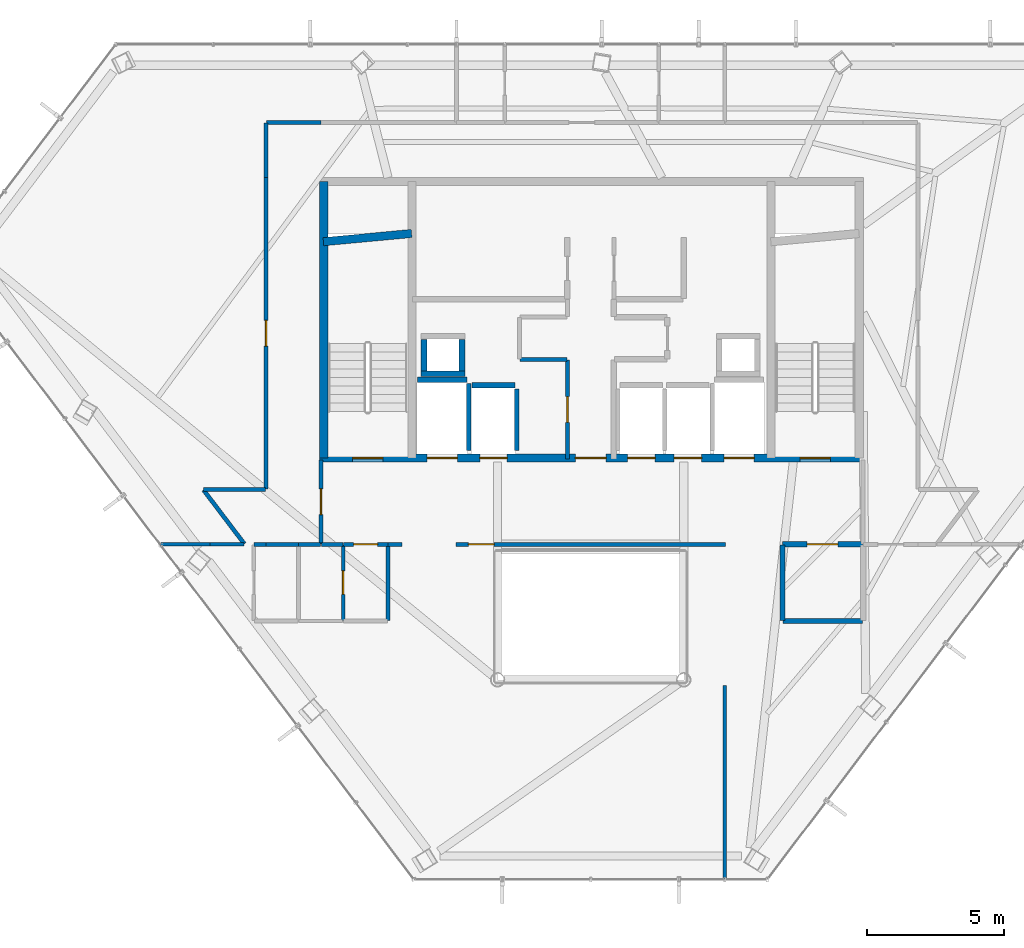
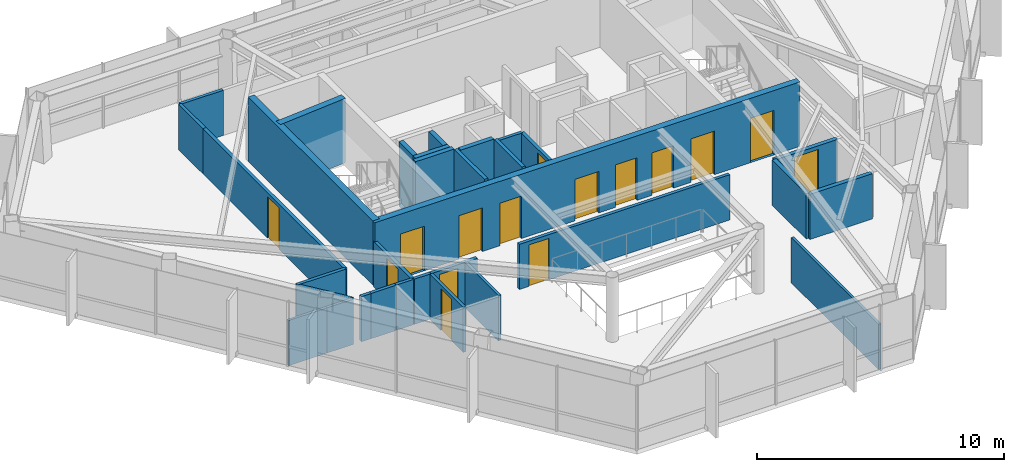
# One storey, part 24 of 27: 33 walls, 15 doors, 15 openings.
"""IFC4 building model written with IfcOpenShell, lengths in metres."""

from ifc_helpers import new_model, si_unit, direction, frame, frame_2d, origin, place, context, subcontext, project, spatial, rectangle, extrude, material, layer, layer_set, type_object, element, fill, save


model = new_model("IFC4")

# Units and contexts
model_context = context("Model", 3, precision=1e-05, world=origin(), true_north=direction((0.0, 1.0)))
body_context = subcontext(model_context, "Body", "Model", "MODEL_VIEW")
ifc_project = project(units=[si_unit("LENGTHUNIT", "METRE"), si_unit("AREAUNIT", "SQUARE_METRE"), si_unit("VOLUMEUNIT", "CUBIC_METRE"), si_unit("PLANEANGLEUNIT", "RADIAN"), si_unit("MASSUNIT", "GRAM", prefix="KILO")], contexts=[model_context])

# Site, building, storey
site_placement = place(None, origin())
site = spatial("IfcSite", under=ifc_project, at=site_placement, CompositionType="ELEMENT")
building_placement = place(site_placement, origin())
building = spatial("IfcBuilding", under=site, at=building_placement, Name="Zarrinselat Tower", CompositionType="ELEMENT")
storey_placement = place(building_placement, frame((0.0, 0.0, 215.56005859375)))
storey = spatial("IfcBuildingStorey", under=building, at=storey_placement, Name="L53", CompositionType="ELEMENT", Elevation=215.56005859375)

# Wall, opening, door
ifc_material_1 = material(Name="Concrete C40/50", Category="concrete")
ifc_layer_1 = layer(ifc_material_1, 0.18994140625)
ifc_layer_set_1 = layer_set([ifc_layer_1], Name="Concrete C40/50")
wall_type_1 = type_object("IfcWallType", Name="WAL-PART-EI120", PredefinedType="PARTITIONING", material=ifc_layer_set_1)
wall_1_placement = place(storey_placement, frame((45.405029296875, 30.14990234375, 0.0), z_axis=(0.0, 0.0, 1.0), x_axis=(1.0, 0.0, 0.0)))
wall_1 = element("IfcWall", 1, at=wall_1_placement, inside=storey, type_object=wall_type_1, Name="L53 Partition Wall 16", PredefinedType="PARTITIONING", context=body_context, shape_type="SweptSolid", body=[
    extrude(rectangle(XDim=2.925048828125, YDim=0.18994140625, at=frame_2d((1.46240234375, 0.0))), origin(), (0.0, 0.0, 1.0), 2.23486328125),
])
opening_1_placement = place(wall_1_placement, frame((0.902587890625, 0.0, 0.0)))
opening_1 = element("IfcOpeningElement", 2, at=opening_1_placement, cuts=wall_1, Name="Opening ID-02", PredefinedType="OPENING", context=body_context, shape_type="SweptSolid", body=[
    extrude(rectangle(XDim=1.1201171875, YDim=2.050048828125, at=frame_2d((0.56005859375, 1.02490234375))), frame((0.0, 0.10498046875, 0.0), z_axis=(0.0, -1.0, 0.0), x_axis=(1.0, 0.0, 0.0)), (0.0, 0.0, 1.0), 0.2099609375),
])
ifc_material_2 = material(Name="Steel S355J2", Category="steel")
door_type_1 = type_object("IfcDoorType", Name="DR-INT-FD60-W", OperationType="NOTDEFINED", PredefinedType="DOOR", material=ifc_material_2)
door_1_placement = place(opening_1_placement, origin())
door_1 = element("IfcDoor", 3, at=door_1_placement, inside=storey, type_object=door_type_1, Name="L53 Interior Door P16", OperationType="SINGLE_SWING_RIGHT", OverallHeight=2.050048828125, OverallWidth=1.1201171875, PredefinedType="DOOR", context=body_context, shape_type="SweptSolid", body=[
    extrude(rectangle(XDim=1.1201171875, YDim=2.050048828125, at=frame_2d((0.56005859375, 1.02490234375))), frame((0.0, 0.02490234375, 0.0), z_axis=(0.0, -1.0, 0.0), x_axis=(1.0, 0.0, 0.0)), (0.0, 0.0, 1.0), 0.050048828125),
])
fill(opening_1, door_1)

# Walls
wall_2_placement = place(storey_placement, frame((45.419921875, 27.35009765625, 0.0), z_axis=(0.0, 0.0, 1.0), x_axis=(1.0, 0.0, 0.0)))
element("IfcWall", 4, at=wall_2_placement, inside=storey, type_object=wall_type_1, Name="L53 Partition Wall 23", PredefinedType="PARTITIONING", context=body_context, shape_type="SweptSolid", body=[
    extrude(rectangle(XDim=2.91015625, YDim=0.18994140625, at=frame_2d((1.455078125, 0.0))), origin(), (0.0, 0.0, 1.0), 2.23486328125),
])
wall_3_placement = place(storey_placement, frame((45.39990234375, 27.3701171875, 0.0), z_axis=(0.0, 0.0, 1.0), x_axis=(0.0, 1.0, 0.0)))
element("IfcWall", 5, at=wall_3_placement, inside=storey, type_object=wall_type_1, Name="L53 Partition Wall 24", PredefinedType="PARTITIONING", context=body_context, shape_type="SweptSolid", body=[
    extrude(rectangle(XDim=2.759765625, YDim=0.18994140625, at=frame_2d((1.3798828125, 0.0))), origin(), (0.0, 0.0, 1.0), 2.23486328125),
])

# Wall, opening, door
ifc_material_3 = material(Name="Fire-Rated Gypsum Board Partition", Category="gypsum")
ifc_layer_2 = layer(ifc_material_3, 0.14990234375)
ifc_layer_set_2 = layer_set([ifc_layer_2], Name="Fire-Rated Gypsum Board Partition")
wall_type_2 = type_object("IfcWallType", Name="WAL-PART-EI60", PredefinedType="PARTITIONING", material=ifc_layer_set_2)
wall_4_placement = place(storey_placement, frame((37.550048828125, 33.264892578125, 0.0), z_axis=(0.0, 0.0, 1.0), x_axis=(0.0, 1.0, 0.0)))
wall_4 = element("IfcWall", 6, at=wall_4_placement, inside=storey, type_object=wall_type_2, Name="L53 Partition Wall 1", PredefinedType="PARTITIONING", context=body_context, shape_type="SweptSolid", body=[
    extrude(rectangle(XDim=3.614990234375, YDim=0.14990234375, at=frame_2d((1.8076171875, 0.0))), origin(), (0.0, 0.0, 1.0), 2.23486328125),
])
opening_2_placement = place(wall_4_placement, frame((1.33740234375, 0.0, 0.0)))
opening_2 = element("IfcOpeningElement", 7, at=opening_2_placement, cuts=wall_4, Name="Opening ID-04", PredefinedType="OPENING", context=body_context, shape_type="SweptSolid", body=[
    extrude(rectangle(XDim=0.93994140625, YDim=2.050048828125, at=frame_2d((0.469970703125, 1.02490234375))), frame((0.0, 0.0849609375, 0.0), z_axis=(0.0, -1.0, 0.0), x_axis=(1.0, 0.0, 0.0)), (0.0, 0.0, 1.0), 0.169921875),
])
ifc_material_4 = material(Name="Fire-Rated Gypsum Board Partition")
door_type_2 = type_object("IfcDoorType", Name="DR-INT-FD30-ENT", OperationType="NOTDEFINED", PredefinedType="DOOR", material=ifc_material_4)
door_2_placement = place(opening_2_placement, origin())
door_2 = element("IfcDoor", 8, at=door_2_placement, inside=storey, type_object=door_type_2, Name="L53 Interior Door P1", OperationType="SINGLE_SWING_RIGHT", OverallHeight=2.050048828125, OverallWidth=0.93994140625, PredefinedType="DOOR", context=body_context, shape_type="SweptSolid", body=[
    extrude(rectangle(XDim=0.93994140625, YDim=2.050048828125, at=frame_2d((0.469970703125, 1.02490234375))), frame((0.0, 0.02490234375, 0.0), z_axis=(0.0, -1.0, 0.0), x_axis=(1.0, 0.0, 0.0)), (0.0, 0.0, 1.0), 0.050048828125),
])
fill(opening_2, door_2)

# Wall
wall_5_placement = place(storey_placement, frame((35.820068359375, 36.89990234375, 0.0), z_axis=(0.0, 0.0, 1.0), x_axis=(1.0, 0.0, 0.0)))
element("IfcWall", 9, at=wall_5_placement, inside=storey, type_object=wall_type_2, Name="L53 Partition Wall 2", PredefinedType="PARTITIONING", context=body_context, shape_type="SweptSolid", body=[
    extrude(rectangle(XDim=1.7099609375, YDim=0.14990234375, at=frame_2d((0.85498046875, 0.0))), origin(), (0.0, 0.0, 1.0), 2.23486328125),
])

# Wall, opening, door
wall_6_placement = place(storey_placement, frame((28.550048828125, 30.169921875, 0.0), z_axis=(0.0, 0.0, 1.0), x_axis=(0.0, 1.0, 0.0)))
wall_6 = element("IfcWall", 10, at=wall_6_placement, inside=storey, type_object=wall_type_2, Name="L53 Partition Wall 17", PredefinedType="PARTITIONING", context=body_context, shape_type="SweptSolid", body=[
    extrude(rectangle(XDim=3.06005859375, YDim=0.14990234375, at=frame_2d((1.530029296875, 0.0))), origin(), (0.0, 0.0, 1.0), 2.23486328125),
])
opening_3_placement = place(wall_6_placement, frame((1.06005859375, 0.0, 0.0)))
opening_3 = element("IfcOpeningElement", 11, at=opening_3_placement, cuts=wall_6, Name="Opening ID-04", PredefinedType="OPENING", context=body_context, shape_type="SweptSolid", body=[
    extrude(rectangle(XDim=0.93994140625, YDim=2.050048828125, at=frame_2d((0.469970703125, 1.02490234375))), frame((0.0, 0.0849609375, 0.0), z_axis=(0.0, -1.0, 0.0), x_axis=(1.0, 0.0, 0.0)), (0.0, 0.0, 1.0), 0.169921875),
])
door_3_placement = place(opening_3_placement, origin())
door_3 = element("IfcDoor", 12, at=door_3_placement, inside=storey, type_object=door_type_2, Name="L53 Interior Door P17", OperationType="SINGLE_SWING_LEFT", OverallHeight=2.050048828125, OverallWidth=0.93994140625, PredefinedType="DOOR", context=body_context, shape_type="SweptSolid", body=[
    extrude(rectangle(XDim=0.93994140625, YDim=2.050048828125, at=frame_2d((0.469970703125, 1.02490234375))), frame((0.0, 0.02490234375, 0.0), z_axis=(0.0, -1.0, 0.0), x_axis=(1.0, 0.0, 0.0)), (0.0, 0.0, 1.0), 0.050048828125),
])
fill(opening_3, door_3)

wall_7_placement = place(storey_placement, frame((29.364990234375, 30.14990234375, 0.0), z_axis=(0.0, 0.0, 1.0), x_axis=(1.0, 0.0, 0.0)))
wall_7 = element("IfcWall", 13, at=wall_7_placement, inside=storey, type_object=wall_type_2, Name="L53 Partition Wall 19", PredefinedType="PARTITIONING", context=body_context, shape_type="SweptSolid", body=[
    extrude(rectangle(XDim=1.630126953125, YDim=0.14990234375, at=frame_2d((0.81494140625, 0.0))), origin(), (0.0, 0.0, 1.0), 2.23486328125),
])
opening_4_placement = place(wall_7_placement, frame((0.375, 0.0, 0.0)))
opening_4 = element("IfcOpeningElement", 14, at=opening_4_placement, cuts=wall_7, Name="Opening ID-03", PredefinedType="OPENING", context=body_context, shape_type="SweptSolid", body=[
    extrude(rectangle(XDim=0.8798828125, YDim=2.050048828125, at=frame_2d((0.43994140625, 1.02490234375))), frame((0.0, 0.0849609375, 0.0), z_axis=(0.0, -1.0, 0.0), x_axis=(1.0, 0.0, 0.0)), (0.0, 0.0, 1.0), 0.169921875),
])
ifc_material_5 = material(Name="Steel S355J2", Category="steel")
door_type_3 = type_object("IfcDoorType", Name="DR-INT-FD60-S", OperationType="NOTDEFINED", PredefinedType="DOOR", material=ifc_material_5)
door_4_placement = place(opening_4_placement, origin())
door_4 = element("IfcDoor", 15, at=door_4_placement, inside=storey, type_object=door_type_3, Name="L53 Interior Door P19", OperationType="SINGLE_SWING_RIGHT", OverallHeight=2.050048828125, OverallWidth=0.8798828125, PredefinedType="DOOR", context=body_context, shape_type="SweptSolid", body=[
    extrude(rectangle(XDim=0.8798828125, YDim=2.050048828125, at=frame_2d((0.43994140625, 1.02490234375))), frame((0.0, 0.02490234375, 0.0), z_axis=(0.0, -1.0, 0.0), x_axis=(1.0, 0.0, 0.0)), (0.0, 0.0, 1.0), 0.050048828125),
])
fill(opening_4, door_4)

# Wall
wall_8_placement = place(storey_placement, frame((28.570068359375, 30.14990234375, 0.0), z_axis=(0.0, 0.0, 1.0), x_axis=(1.0, 0.0, 0.0)))
element("IfcWall", 16, at=wall_8_placement, inside=storey, type_object=wall_type_2, Name="L53 Partition Wall 20", PredefinedType="PARTITIONING", context=body_context, shape_type="SweptSolid", body=[
    extrude(rectangle(XDim=0.784912109375, YDim=0.14990234375, at=frame_2d((0.392578125, 0.0))), origin(), (0.0, 0.0, 1.0), 2.23486328125),
])

# Wall, opening, door
wall_9_placement = place(storey_placement, frame((33.485107421875, 30.14990234375, 0.0), z_axis=(0.0, 0.0, 1.0), x_axis=(1.0, 0.0, 0.0)))
wall_9 = element("IfcWall", 17, at=wall_9_placement, inside=storey, type_object=wall_type_2, Name="L53 Partition Wall 21", PredefinedType="PARTITIONING", context=body_context, shape_type="SweptSolid", body=[
    extrude(rectangle(XDim=9.829833984375, YDim=0.14990234375, at=frame_2d((4.9150390625, 0.0))), origin(), (0.0, 0.0, 1.0), 2.23486328125),
])
opening_5_placement = place(wall_9_placement, frame((0.445068359375, 0.0, 0.0)))
opening_5 = element("IfcOpeningElement", 18, at=opening_5_placement, cuts=wall_9, Name="Opening ID-04", PredefinedType="OPENING", context=body_context, shape_type="SweptSolid", body=[
    extrude(rectangle(XDim=0.93994140625, YDim=2.050048828125, at=frame_2d((0.469970703125, 1.02490234375))), frame((0.0, 0.0849609375, 0.0), z_axis=(0.0, -1.0, 0.0), x_axis=(1.0, 0.0, 0.0)), (0.0, 0.0, 1.0), 0.169921875),
])
door_5_placement = place(opening_5_placement, origin())
door_5 = element("IfcDoor", 19, at=door_5_placement, inside=storey, type_object=door_type_2, Name="L53 Interior Door P21", OperationType="SINGLE_SWING_LEFT", OverallHeight=2.050048828125, OverallWidth=0.93994140625, PredefinedType="DOOR", context=body_context, shape_type="SweptSolid", body=[
    extrude(rectangle(XDim=0.93994140625, YDim=2.050048828125, at=frame_2d((0.469970703125, 1.02490234375))), frame((0.0, 0.02490234375, 0.0), z_axis=(0.0, -1.0, 0.0), x_axis=(1.0, 0.0, 0.0)), (0.0, 0.0, 1.0), 0.050048828125),
])
fill(opening_5, door_5)

# Walls
wall_10_placement = place(storey_placement, frame((31.0048828125, 30.14990234375, 0.0), z_axis=(0.0, 0.0, 1.0), x_axis=(1.0, 0.0, 0.0)))
element("IfcWall", 20, at=wall_10_placement, inside=storey, type_object=wall_type_2, Name="L53 Partition Wall 22", PredefinedType="PARTITIONING", context=body_context, shape_type="SweptSolid", body=[
    extrude(rectangle(XDim=0.510009765625, YDim=0.14990234375, at=frame_2d((0.2548828125, 0.0))), origin(), (0.0, 0.0, 1.0), 2.23486328125),
])
wall_11_placement = place(storey_placement, frame((26.550048828125, 30.14990234375, 0.0), z_axis=(0.0, 0.0, 1.0), x_axis=(1.0, 0.0, 0.0)))
element("IfcWall", 21, at=wall_11_placement, inside=storey, type_object=wall_type_2, Name="L53 Partition Wall 26", PredefinedType="PARTITIONING", context=body_context, shape_type="SweptSolid", body=[
    extrude(rectangle(XDim=1.175048828125, YDim=0.14990234375, at=frame_2d((0.58740234375, 0.0))), origin(), (0.0, 0.0, 1.0), 2.23486328125),
])
wall_12_placement = place(storey_placement, frame((26.10498046875, 30.14990234375, 0.0), z_axis=(0.0, 0.0, 1.0), x_axis=(1.0, 0.0, 0.0)))
element("IfcWall", 22, at=wall_12_placement, inside=storey, type_object=wall_type_2, Name="L53 Partition Wall 27", PredefinedType="PARTITIONING", context=body_context, shape_type="SweptSolid", body=[
    extrude(rectangle(XDim=0.445068359375, YDim=0.14990234375, at=frame_2d((0.22265625, 0.0))), origin(), (0.0, 0.0, 1.0), 2.23486328125),
])
wall_13_placement = place(storey_placement, frame((27.735107421875, 30.14990234375, 0.0), z_axis=(0.0, 0.0, 1.0), x_axis=(1.0, 0.0, 0.0)))
element("IfcWall", 23, at=wall_13_placement, inside=storey, type_object=wall_type_2, Name="L53 Partition Wall 28", PredefinedType="PARTITIONING", context=body_context, shape_type="SweptSolid", body=[
    extrude(rectangle(XDim=0.794921875, YDim=0.14990234375, at=frame_2d((0.3974609375, 0.0))), origin(), (0.0, 0.0, 1.0), 2.23486328125),
])
wall_14_placement = place(storey_placement, frame((24.26171875, 32.134033203125, 0.0), z_axis=(0.0, 0.0, 1.0), x_axis=(0.603869110647, -0.797083494502, 0.0)))
element("IfcWall", 24, at=wall_14_placement, inside=storey, type_object=wall_type_2, Name="L53 Partition Wall 31", PredefinedType="PARTITIONING", context=body_context, shape_type="SweptSolid", body=[
    extrude(rectangle(XDim=2.468994140625, YDim=0.14990234375, at=frame_2d((1.234375, 0.0))), origin(), (0.0, 0.0, 1.0), 2.23486328125),
])
wall_15_placement = place(storey_placement, frame((24.269775390625, 32.14990234375, 0.0), z_axis=(0.0, 0.0, 1.0), x_axis=(1.0, 0.0, 0.0)))
element("IfcWall", 25, at=wall_15_placement, inside=storey, type_object=wall_type_2, Name="L53 Partition Wall 32", PredefinedType="PARTITIONING", context=body_context, shape_type="SweptSolid", body=[
    extrude(rectangle(XDim=2.26025390625, YDim=0.14990234375, at=frame_2d((1.130126953125, 0.0))), origin(), (0.0, 0.0, 1.0), 2.23486328125),
])

# Wall, opening, door
wall_16_placement = place(storey_placement, frame((26.550048828125, 32.169921875, 0.0), z_axis=(0.0, 0.0, 1.0), x_axis=(0.0, 1.0, 0.0)))
wall_16 = element("IfcWall", 26, at=wall_16_placement, inside=storey, type_object=wall_type_2, Name="L53 Partition Wall 33", PredefinedType="PARTITIONING", context=body_context, shape_type="SweptSolid", body=[
    extrude(rectangle(XDim=11.380126953125, YDim=0.14990234375, at=frame_2d((5.68994140625, 0.0))), origin(), (0.0, 0.0, 1.0), 2.23486328125),
])
opening_6_placement = place(wall_16_placement, frame((5.219970703125, 0.0, 0.0)))
opening_6 = element("IfcOpeningElement", 27, at=opening_6_placement, cuts=wall_16, Name="Opening ID-04", PredefinedType="OPENING", context=body_context, shape_type="SweptSolid", body=[
    extrude(rectangle(XDim=0.93994140625, YDim=2.050048828125, at=frame_2d((0.469970703125, 1.02490234375))), frame((0.0, 0.0849609375, 0.0), z_axis=(0.0, -1.0, 0.0), x_axis=(1.0, 0.0, 0.0)), (0.0, 0.0, 1.0), 0.169921875),
])
door_6_placement = place(opening_6_placement, origin())
door_6 = element("IfcDoor", 28, at=door_6_placement, inside=storey, type_object=door_type_2, Name="L53 Interior Door P33", OperationType="SINGLE_SWING_LEFT", OverallHeight=2.050048828125, OverallWidth=0.93994140625, PredefinedType="DOOR", context=body_context, shape_type="SweptSolid", body=[
    extrude(rectangle(XDim=0.93994140625, YDim=2.050048828125, at=frame_2d((0.469970703125, 1.02490234375))), frame((0.0, 0.02490234375, 0.0), z_axis=(0.0, -1.0, 0.0), x_axis=(1.0, 0.0, 0.0)), (0.0, 0.0, 1.0), 0.050048828125),
])
fill(opening_6, door_6)

# Walls
for number, where, z_axis, x_axis, name in (
    (29, (26.550048828125, 43.550048828125, 0.0), (0.0, 0.0, 1.0), (0.0, 1.0, 0.0), "L53 Partition Wall 34"),
    (30, (26.570068359375, 45.550048828125, 0.0), (0.0, 0.0, 1.0), (1.0, 0.0, 0.0), "L53 Partition Wall 35"),
):
    element("IfcWall", number, at=place(storey_placement, frame(where, z_axis=z_axis, x_axis=x_axis)), inside=storey, type_object=wall_type_2, Name=name, PredefinedType="PARTITIONING", context=body_context, shape_type="SweptSolid", body=[
        extrude(rectangle(XDim=1.97998046875, YDim=0.14990234375, at=frame_2d((0.989990234375, 0.0))), origin(), (0.0, 0.0, 1.0), 2.23486328125),
    ])
ifc_material_6 = material(Name="Fire-Rated Gypsum Board Partition", Category="gypsum")
ifc_layer_3 = layer(ifc_material_6, 0.1201171875)
ifc_layer_set_3 = layer_set([ifc_layer_3], Name="Fire-Rated Gypsum Board Partition")
wall_type_3 = type_object("IfcWallType", Name="WAL-PART-STD", PredefinedType="PARTITIONING", material=ifc_layer_set_3)
wall_17_placement = place(storey_placement, frame((43.300048828125, 17.925537109375, 0.0), z_axis=(0.0, 0.0, 1.0), x_axis=(0.0, 1.0, 0.0)))
element("IfcWall", 31, at=wall_17_placement, inside=storey, type_object=wall_type_3, Name="L53 Partition Wall 53", PredefinedType="PARTITIONING", context=body_context, shape_type="SweptSolid", body=[
    extrude(rectangle(XDim=7.074462890625, YDim=0.1201171875, at=frame_2d((3.537109375, 0.0))), origin(), (0.0, 0.0, 1.0), 2.23486328125),
])
wall_18_placement = place(storey_placement, frame((24.5, 30.14990234375, 0.0), z_axis=(0.0, 0.0, 1.0), x_axis=(1.0, 0.0, 0.0)))
element("IfcWall", 32, at=wall_18_placement, inside=storey, type_object=wall_type_3, Name="L53 Partition Wall 54", PredefinedType="PARTITIONING", context=body_context, shape_type="SweptSolid", body=[
    extrude(rectangle(XDim=1.244873046875, YDim=0.1201171875, at=frame_2d((0.62255859375, 0.0))), origin(), (0.0, 0.0, 1.0), 2.23486328125),
])
wall_19_placement = place(storey_placement, frame((22.693603515625, 30.14990234375, 0.0), z_axis=(0.0, 0.0, 1.0), x_axis=(1.0, 0.0, 0.0)))
element("IfcWall", 33, at=wall_19_placement, inside=storey, type_object=wall_type_3, Name="L53 Partition Wall 55", PredefinedType="PARTITIONING", context=body_context, shape_type="SweptSolid", body=[
    extrude(rectangle(XDim=1.806396484375, YDim=0.1201171875, at=frame_2d((0.9033203125, 0.0))), origin(), (0.0, 0.0, 1.0), 2.23486328125),
])

# Wall, opening, door
ifc_material_7 = material(Name="Fire-Rated Gypsum Board Partition", Category="gypsum")
ifc_layer_4 = layer(ifc_material_7, 0.135009765625)
ifc_layer_set_4 = layer_set([ifc_layer_4], Name="Fire-Rated Gypsum Board Partition")
wall_type_4 = type_object("IfcWallType", Name="WAL-PART-WET", PredefinedType="PARTITIONING", material=ifc_layer_set_4)
wall_20_placement = place(storey_placement, frame((29.360107421875, 27.3701171875, 0.0), z_axis=(0.0, 0.0, 1.0), x_axis=(0.0, 1.0, 0.0)))
wall_20 = element("IfcWall", 34, at=wall_20_placement, inside=storey, type_object=wall_type_4, Name="L53 Partition Wall 46", PredefinedType="PARTITIONING", context=body_context, shape_type="SweptSolid", body=[
    extrude(rectangle(XDim=2.759765625, YDim=0.135009765625, at=frame_2d((1.3798828125, 0.0))), origin(), (0.0, 0.0, 1.0), 2.23486328125),
])
opening_7_placement = place(wall_20_placement, frame((0.949951171875, 0.0, 0.0)))
opening_7 = element("IfcOpeningElement", 35, at=opening_7_placement, cuts=wall_20, Name="Opening ID-06", PredefinedType="OPENING", context=body_context, shape_type="SweptSolid", body=[
    extrude(rectangle(XDim=0.860107421875, YDim=2.050048828125, at=frame_2d((0.43017578125, 1.02490234375))), frame((0.0, 0.077392578125, 0.0), z_axis=(0.0, -1.0, 0.0), x_axis=(1.0, 0.0, 0.0)), (0.0, 0.0, 1.0), 0.155029296875),
])
ifc_material_8 = material(Name="Extruded Aluminium Alloy EN AW-6063 T6", Category="aluminium")
door_type_4 = type_object("IfcDoorType", Name="DR-INT-WET-900", OperationType="NOTDEFINED", PredefinedType="DOOR", material=ifc_material_8)
door_7_placement = place(opening_7_placement, origin())
door_7 = element("IfcDoor", 36, at=door_7_placement, inside=storey, type_object=door_type_4, Name="L53 Interior Door P46", OperationType="SINGLE_SWING_RIGHT", OverallHeight=2.050048828125, OverallWidth=0.860107421875, PredefinedType="DOOR", context=body_context, shape_type="SweptSolid", body=[
    extrude(rectangle(XDim=0.860107421875, YDim=2.050048828125, at=frame_2d((0.43017578125, 1.02490234375))), frame((0.0, 0.02490234375, 0.0), z_axis=(0.0, -1.0, 0.0), x_axis=(1.0, 0.0, 0.0)), (0.0, 0.0, 1.0), 0.050048828125),
])
fill(opening_7, door_7)

# Walls
wall_21_placement = place(storey_placement, frame((31.0, 27.3701171875, 0.0), z_axis=(0.0, 0.0, 1.0), x_axis=(0.0, 1.0, 0.0)))
element("IfcWall", 37, at=wall_21_placement, inside=storey, type_object=wall_type_4, Name="L53 Partition Wall 48", PredefinedType="PARTITIONING", context=body_context, shape_type="SweptSolid", body=[
    extrude(rectangle(XDim=2.759765625, YDim=0.135009765625, at=frame_2d((1.3798828125, 0.0))), origin(), (0.0, 0.0, 1.0), 2.23486328125),
])
ifc_material_9 = material(Name="Concrete C40/50", Category="concrete")
ifc_layer_5 = layer(ifc_material_9, 0.2099609375)
ifc_layer_set_5 = layer_set([ifc_layer_5], Name="Concrete C40/50")
wall_type_5 = type_object("IfcWallType", Name="WAL-SHAFT-210", PredefinedType="SOLIDWALL", material=ifc_layer_set_5)
wall_22_placement = place(storey_placement, frame((32.080078125, 36.155029296875, 0.0), z_axis=(0.0, 0.0, 1.0), x_axis=(1.0, 0.0, 0.0)))
element("IfcWall", 38, at=wall_22_placement, inside=storey, type_object=wall_type_5, Name="L53 Lift FFL1 North Shaft Wall", PredefinedType="SOLIDWALL", context=body_context, shape_type="SweptSolid", body=[
    extrude(rectangle(XDim=1.7998046875, YDim=0.2099609375, at=frame_2d((0.89990234375, 0.0))), origin(), (0.0, 0.0, 1.0), 3.179931640625),
])
wall_23_placement = place(storey_placement, frame((33.949951171875, 33.580078125, 0.0), z_axis=(0.0, 0.0, 1.0), x_axis=(0.0, 1.0, 0.0)))
element("IfcWall", 39, at=wall_23_placement, inside=storey, type_object=wall_type_5, Name="L53 Lift FFL1 E Shaft Wall", PredefinedType="SOLIDWALL", context=body_context, shape_type="SweptSolid", body=[
    extrude(rectangle(XDim=2.449951171875, YDim=0.159912109375, at=frame_2d((1.22509765625, 0.0))), origin(), (0.0, 0.0, 1.0), 3.179931640625),
])
wall_24_placement = place(storey_placement, frame((34.070068359375, 35.955078125, 0.0), z_axis=(0.0, 0.0, 1.0), x_axis=(1.0, 0.0, 0.0)))
element("IfcWall", 40, at=wall_24_placement, inside=storey, type_object=wall_type_5, Name="L53 Lift PL10 North Shaft Wall", PredefinedType="SOLIDWALL", context=body_context, shape_type="SweptSolid", body=[
    extrude(rectangle(XDim=1.559814453125, YDim=0.2099609375, at=frame_2d((0.77978515625, 0.0))), origin(), (0.0, 0.0, 1.0), 3.179931640625),
])
wall_25_placement = place(storey_placement, frame((35.699951171875, 33.580078125, 0.0), z_axis=(0.0, 0.0, 1.0), x_axis=(0.0, 1.0, 0.0)))
element("IfcWall", 41, at=wall_25_placement, inside=storey, type_object=wall_type_5, Name="L53 Lift PL10 E Shaft Wall", PredefinedType="SOLIDWALL", context=body_context, shape_type="SweptSolid", body=[
    extrude(rectangle(XDim=2.25, YDim=0.159912109375, at=frame_2d((1.125, 0.0))), origin(), (0.0, 0.0, 1.0), 3.179931640625),
])
wall_26_placement = place(storey_placement, frame((32.2099609375, 36.375, 0.0), z_axis=(0.0, 0.0, 1.0), x_axis=(1.0, 0.0, 0.0)))
element("IfcWall", 42, at=wall_26_placement, inside=storey, type_object=wall_type_5, Name="L53 Core Riser RSR-W S Shaft Wall", PredefinedType="SOLIDWALL", context=body_context, shape_type="SweptSolid", body=[
    extrude(rectangle(XDim=1.60009765625, YDim=0.2099609375, at=frame_2d((0.800048828125, 0.0))), origin(), (0.0, 0.0, 1.0), 3.179931640625),
])
for number, where, z_axis, x_axis, name in (
    (43, (32.31494140625, 36.485107421875, 0.0), (0.0, 0.0, 1.0), (0.0, 1.0, 0.0), "L53 Core Riser RSR-W W Shaft Wall"),
    (44, (33.705078125, 36.485107421875, 0.0), (0.0, 0.0, 1.0), (0.0, 1.0, 0.0), "L53 Core Riser RSR-W E Shaft Wall"),
):
    element("IfcWall", number, at=place(storey_placement, frame(where, z_axis=z_axis, x_axis=x_axis)), inside=storey, type_object=wall_type_5, Name=name, PredefinedType="SOLIDWALL", context=body_context, shape_type="SweptSolid", body=[
        extrude(rectangle(XDim=1.14990234375, YDim=0.2099609375, at=frame_2d((0.574951171875, 0.0))), origin(), (0.0, 0.0, 1.0), 3.179931640625),
    ])

# Wall, openings, doors
ifc_material_10 = material(Name="Concrete C40/50", Category="concrete")
ifc_layer_6 = layer(ifc_material_10, 0.300048828125)
ifc_layer_set_6 = layer_set([ifc_layer_6], Name="Concrete C40/50")
wall_type_6 = type_object("IfcWallType", Name="WAL-SHEAR-300", PredefinedType="SHEAR", material=ifc_layer_set_6)
wall_27_placement = place(storey_placement, frame((28.5, 33.300048828125, 0.0), z_axis=(0.0, 0.0, 1.0), x_axis=(1.0, 0.0, 0.0)))
wall_27 = element("IfcWall", 45, at=wall_27_placement, inside=storey, type_object=wall_type_6, Name="L53 South Core Shear Wall", PredefinedType="SHEAR", context=body_context, shape_type="SweptSolid", body=[
    extrude(rectangle(XDim=19.860107421875, YDim=0.300048828125, at=frame_2d((9.93017578125, 0.0))), origin(), (0.0, 0.0, 1.0), 3.179931640625),
])
opening_8_placement = place(wall_27_placement, frame((3.929931640625, 0.0, 0.0)))
opening_8 = element("IfcOpeningElement", 46, at=opening_8_placement, cuts=wall_27, Name="Opening LD-FFL1", PredefinedType="OPENING", context=body_context, shape_type="SweptSolid", body=[
    extrude(rectangle(XDim=1.10009765625, YDim=2.14990234375, at=frame_2d((0.550048828125, 1.074951171875))), frame((0.0, 0.159912109375, 0.0), z_axis=(0.0, -1.0, 0.0), x_axis=(1.0, 0.0, 0.0)), (0.0, 0.0, 1.0), 0.320068359375),
])
opening_9_placement = place(wall_27_placement, frame((14.77001953125, 0.0, 0.0)))
opening_9 = element("IfcOpeningElement", 47, at=opening_9_placement, cuts=wall_27, Name="Opening LD-FFL2", PredefinedType="OPENING", context=body_context, shape_type="SweptSolid", body=[
    extrude(rectangle(XDim=1.10009765625, YDim=2.14990234375, at=frame_2d((0.550048828125, 1.074951171875))), frame((0.0, 0.159912109375, 0.0), z_axis=(0.0, -1.0, 0.0), x_axis=(1.0, 0.0, 0.0)), (0.0, 0.0, 1.0), 0.320068359375),
])
opening_10_placement = place(wall_27_placement, frame((11.25, 0.0, 0.0)))
opening_10 = element("IfcOpeningElement", 48, at=opening_10_placement, cuts=wall_27, Name="Opening LD-PL8", PredefinedType="OPENING", context=body_context, shape_type="SweptSolid", body=[
    extrude(rectangle(XDim=1.0, YDim=2.10009765625, at=frame_2d((0.5, 1.050048828125))), frame((0.0, 0.159912109375, 0.0), z_axis=(0.0, -1.0, 0.0), x_axis=(1.0, 0.0, 0.0)), (0.0, 0.0, 1.0), 0.320068359375),
])
opening_11_placement = place(wall_27_placement, frame((12.949951171875, 0.0, 0.0)))
opening_11 = element("IfcOpeningElement", 49, at=opening_11_placement, cuts=wall_27, Name="Opening LD-PL9", PredefinedType="OPENING", context=body_context, shape_type="SweptSolid", body=[
    extrude(rectangle(XDim=1.0, YDim=2.10009765625, at=frame_2d((0.5, 1.050048828125))), frame((0.0, 0.159912109375, 0.0), z_axis=(0.0, -1.0, 0.0), x_axis=(1.0, 0.0, 0.0)), (0.0, 0.0, 1.0), 0.320068359375),
])
opening_12_placement = place(wall_27_placement, frame((5.85009765625, 0.0, 0.0)))
opening_12 = element("IfcOpeningElement", 50, at=opening_12_placement, cuts=wall_27, Name="Opening LD-PL10", PredefinedType="OPENING", context=body_context, shape_type="SweptSolid", body=[
    extrude(rectangle(XDim=1.0, YDim=2.10009765625, at=frame_2d((0.5, 1.050048828125))), frame((0.0, 0.159912109375, 0.0), z_axis=(0.0, -1.0, 0.0), x_axis=(1.0, 0.0, 0.0)), (0.0, 0.0, 1.0), 0.320068359375),
])
opening_13_placement = place(wall_27_placement, frame((1.2099609375, 0.0, 0.0)))
opening_13 = element("IfcOpeningElement", 51, at=opening_13_placement, cuts=wall_27, Name="Opening SD-01", PredefinedType="OPENING", context=body_context, shape_type="SweptSolid", body=[
    extrude(rectangle(XDim=1.10009765625, YDim=2.199951171875, at=frame_2d((0.550048828125, 1.10009765625))), frame((0.0, 0.159912109375, 0.0), z_axis=(0.0, -1.0, 0.0), x_axis=(1.0, 0.0, 0.0)), (0.0, 0.0, 1.0), 0.320068359375),
])
opening_14_placement = place(wall_27_placement, frame((9.340087890625, 0.0, 0.0)))
opening_14 = element("IfcOpeningElement", 52, at=opening_14_placement, cuts=wall_27, Name="Opening ID-02", PredefinedType="OPENING", context=body_context, shape_type="SweptSolid", body=[
    extrude(rectangle(XDim=1.1201171875, YDim=2.050048828125, at=frame_2d((0.56005859375, 1.02490234375))), frame((0.0, 0.159912109375, 0.0), z_axis=(0.0, -1.0, 0.0), x_axis=(1.0, 0.0, 0.0)), (0.0, 0.0, 1.0), 0.320068359375),
])
opening_15_placement = place(wall_27_placement, frame((17.550048828125, 0.0, 0.0)))
opening_15 = element("IfcOpeningElement", 53, at=opening_15_placement, cuts=wall_27, Name="Opening SD-01", PredefinedType="OPENING", context=body_context, shape_type="SweptSolid", body=[
    extrude(rectangle(XDim=1.10009765625, YDim=2.199951171875, at=frame_2d((0.550048828125, 1.10009765625))), frame((0.0, 0.159912109375, 0.0), z_axis=(0.0, -1.0, 0.0), x_axis=(1.0, 0.0, 0.0)), (0.0, 0.0, 1.0), 0.320068359375),
])
door_8_placement = place(opening_14_placement, origin())
door_8 = element("IfcDoor", 54, at=door_8_placement, inside=storey, type_object=door_type_1, Name="L53 Core Service Vestibule Fire Door", OperationType="SINGLE_SWING_LEFT", OverallHeight=2.050048828125, OverallWidth=1.1201171875, PredefinedType="DOOR", context=body_context, shape_type="SweptSolid", body=[
    extrude(rectangle(XDim=1.1201171875, YDim=2.050048828125, at=frame_2d((0.56005859375, 1.02490234375))), frame((0.0, 0.02490234375, 0.0), z_axis=(0.0, -1.0, 0.0), x_axis=(1.0, 0.0, 0.0)), (0.0, 0.0, 1.0), 0.050048828125),
])
fill(opening_14, door_8)
ifc_material_11 = material(Name="Steel S355J2", Category="steel")
door_type_5 = type_object("IfcDoorType", Name="DR-LIFT-FF-1100", OperationType="NOTDEFINED", PredefinedType="DOOR", material=ifc_material_11)
door_9_placement = place(opening_8_placement, origin())
door_9 = element("IfcDoor", 55, at=door_9_placement, inside=storey, type_object=door_type_5, Name="L53 Lift FFL1 Sliding Landing Door", OperationType="SLIDING_TO_LEFT", OverallHeight=2.14990234375, OverallWidth=1.10009765625, PredefinedType="DOOR", context=body_context, shape_type="SweptSolid", body=[
    extrude(rectangle(XDim=1.10009765625, YDim=2.14990234375, at=frame_2d((0.550048828125, 1.074951171875))), frame((0.0, 0.02490234375, 0.0), z_axis=(0.0, -1.0, 0.0), x_axis=(1.0, 0.0, 0.0)), (0.0, 0.0, 1.0), 0.050048828125),
])
fill(opening_8, door_9)
door_10_placement = place(opening_9_placement, origin())
door_10 = element("IfcDoor", 56, at=door_10_placement, inside=storey, type_object=door_type_5, Name="L53 Lift FFL2 Sliding Landing Door", OperationType="SLIDING_TO_RIGHT", OverallHeight=2.14990234375, OverallWidth=1.10009765625, PredefinedType="DOOR", context=body_context, shape_type="SweptSolid", body=[
    extrude(rectangle(XDim=1.10009765625, YDim=2.14990234375, at=frame_2d((0.550048828125, 1.074951171875))), frame((0.0, 0.02490234375, 0.0), z_axis=(0.0, -1.0, 0.0), x_axis=(1.0, 0.0, 0.0)), (0.0, 0.0, 1.0), 0.050048828125),
])
fill(opening_9, door_10)
ifc_material_12 = material(Name="Steel S355J2", Category="steel")
door_type_6 = type_object("IfcDoorType", Name="DR-LIFT-PS-1000", OperationType="NOTDEFINED", PredefinedType="DOOR", material=ifc_material_12)
door_11_placement = place(opening_10_placement, origin())
door_11 = element("IfcDoor", 57, at=door_11_placement, inside=storey, type_object=door_type_6, Name="L53 Lift PL8 Sliding Landing Door", OperationType="SLIDING_TO_RIGHT", OverallHeight=2.10009765625, OverallWidth=1.0, PredefinedType="DOOR", context=body_context, shape_type="SweptSolid", body=[
    extrude(rectangle(XDim=1.0, YDim=2.10009765625, at=frame_2d((0.5, 1.050048828125))), frame((0.0, 0.02490234375, 0.0), z_axis=(0.0, -1.0, 0.0), x_axis=(1.0, 0.0, 0.0)), (0.0, 0.0, 1.0), 0.050048828125),
])
fill(opening_10, door_11)
door_12_placement = place(opening_11_placement, origin())
door_12 = element("IfcDoor", 58, at=door_12_placement, inside=storey, type_object=door_type_6, Name="L53 Lift PL9 Sliding Landing Door", OperationType="SLIDING_TO_LEFT", OverallHeight=2.10009765625, OverallWidth=1.0, PredefinedType="DOOR", context=body_context, shape_type="SweptSolid", body=[
    extrude(rectangle(XDim=1.0, YDim=2.10009765625, at=frame_2d((0.5, 1.050048828125))), frame((0.0, 0.02490234375, 0.0), z_axis=(0.0, -1.0, 0.0), x_axis=(1.0, 0.0, 0.0)), (0.0, 0.0, 1.0), 0.050048828125),
])
fill(opening_11, door_12)
door_13_placement = place(opening_12_placement, origin())
door_13 = element("IfcDoor", 59, at=door_13_placement, inside=storey, type_object=door_type_6, Name="L53 Lift PL10 Sliding Landing Door", OperationType="SLIDING_TO_RIGHT", OverallHeight=2.10009765625, OverallWidth=1.0, PredefinedType="DOOR", context=body_context, shape_type="SweptSolid", body=[
    extrude(rectangle(XDim=1.0, YDim=2.10009765625, at=frame_2d((0.5, 1.050048828125))), frame((0.0, 0.02490234375, 0.0), z_axis=(0.0, -1.0, 0.0), x_axis=(1.0, 0.0, 0.0)), (0.0, 0.0, 1.0), 0.050048828125),
])
fill(opening_12, door_13)
ifc_material_13 = material(Name="Steel S355J2", Category="steel")
door_type_7 = type_object("IfcDoorType", Name="DR-STAIR-1100", OperationType="NOTDEFINED", PredefinedType="DOOR", material=ifc_material_13)
door_14_placement = place(opening_13_placement, origin())
door_14 = element("IfcDoor", 60, at=door_14_placement, inside=storey, type_object=door_type_7, Name="L53 Exit Stair 1 Fire Door", OperationType="SINGLE_SWING_LEFT", OverallHeight=2.199951171875, OverallWidth=1.10009765625, PredefinedType="DOOR", context=body_context, shape_type="SweptSolid", body=[
    extrude(rectangle(XDim=1.10009765625, YDim=2.199951171875, at=frame_2d((0.550048828125, 1.10009765625))), frame((0.0, 0.02490234375, 0.0), z_axis=(0.0, -1.0, 0.0), x_axis=(1.0, 0.0, 0.0)), (0.0, 0.0, 1.0), 0.050048828125),
])
fill(opening_13, door_14)
door_15_placement = place(opening_15_placement, origin())
door_15 = element("IfcDoor", 61, at=door_15_placement, inside=storey, type_object=door_type_7, Name="L53 Exit Stair 2 Fire Door", OperationType="SINGLE_SWING_RIGHT", OverallHeight=2.199951171875, OverallWidth=1.10009765625, PredefinedType="DOOR", context=body_context, shape_type="SweptSolid", body=[
    extrude(rectangle(XDim=1.10009765625, YDim=2.199951171875, at=frame_2d((0.550048828125, 1.10009765625))), frame((0.0, 0.02490234375, 0.0), z_axis=(0.0, -1.0, 0.0), x_axis=(1.0, 0.0, 0.0)), (0.0, 0.0, 1.0), 0.050048828125),
])
fill(opening_15, door_15)

# Walls
wall_28_placement = place(storey_placement, frame((28.64990234375, 33.300048828125, 0.0), z_axis=(0.0, 0.0, 1.0), x_axis=(0.0, 1.0, 0.0)))
element("IfcWall", 62, at=wall_28_placement, inside=storey, type_object=wall_type_6, Name="L53 Core Shear Wall W", PredefinedType="SHEAR", context=body_context, shape_type="SweptSolid", body=[
    extrude(rectangle(XDim=10.099853515625, YDim=0.300048828125, at=frame_2d((5.0498046875, 0.0))), origin(), (0.0, 0.0, 1.0), 3.179931640625),
])
wall_29_placement = place(storey_placement, frame((28.639892578125, 41.199951171875, 0.0), z_axis=(0.0, 0.0, 1.0), x_axis=(0.995687118776, 0.092774789157, 0.0)))
element("IfcWall", 63, at=wall_29_placement, inside=storey, type_object=wall_type_6, Name="L53 Stair 1 North Shaft Wall", PredefinedType="SHEAR", context=body_context, shape_type="SweptSolid", body=[
    extrude(rectangle(XDim=3.234130859375, YDim=0.300048828125, at=frame_2d((1.6171875, 0.0))), origin(), (0.0, 0.0, 1.0), 3.179931640625),
])

save(model, "model.ifc")
